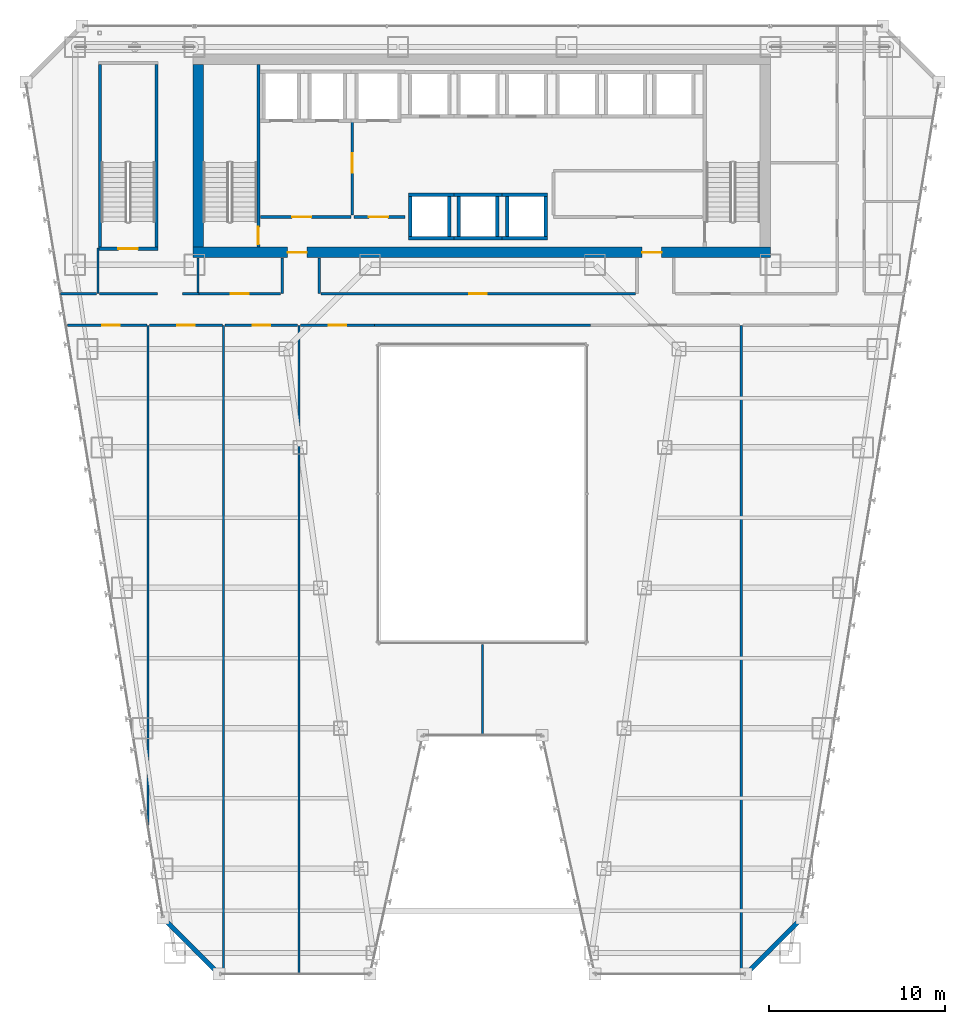
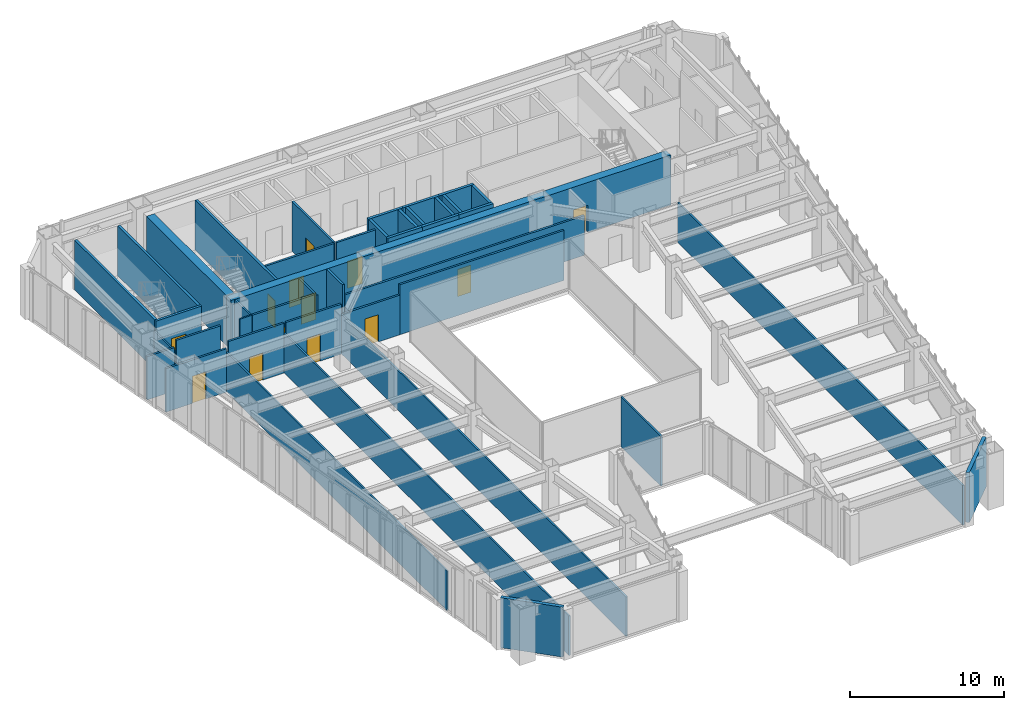
# One storey, part 36 of 47: 42 walls, 13 doors, 13 openings.
"""IFC4 building model written with IfcOpenShell, lengths in metres."""

from ifc_helpers import new_model, si_unit, direction, frame, frame_2d, origin, place, context, subcontext, project, spatial, rectangle, extrude, material, layer, layer_set, type_object, element, fill, save


model = new_model("IFC4")

# Units and contexts
model_context = context("Model", 3, precision=1e-05, world=origin(), true_north=direction((0.0, 1.0)))
body_context = subcontext(model_context, "Body", "Model", "MODEL_VIEW")
ifc_project = project(units=[si_unit("LENGTHUNIT", "METRE"), si_unit("AREAUNIT", "SQUARE_METRE"), si_unit("VOLUMEUNIT", "CUBIC_METRE"), si_unit("PLANEANGLEUNIT", "RADIAN"), si_unit("MASSUNIT", "GRAM", prefix="KILO")], contexts=[model_context])

# Site, building, storey
site_placement = place(None, origin())
site = spatial("IfcSite", under=ifc_project, at=site_placement, CompositionType="ELEMENT")
building_placement = place(site_placement, origin())
building = spatial("IfcBuilding", under=site, at=building_placement, Name="Saevonmaru Cultural Tower", CompositionType="ELEMENT")
storey_placement = place(building_placement, frame((0.0, 0.0, 82.39990234375)))
storey = spatial("IfcBuildingStorey", under=building, at=storey_placement, Name="L17", CompositionType="ELEMENT", Elevation=82.39990234375)

# Wall, openings, doors
ifc_material_1 = material(Name="Concrete C60/75", Category="concrete")
ifc_layer_1 = layer(ifc_material_1, 0.60009765625, Name="Concrete C60/75")
ifc_layer_set_1 = layer_set([ifc_layer_1], Name="Concrete C60/75")
wall_type_1 = type_object("IfcWallType", Name="WL-CORE-600", PredefinedType="SHEAR", material=ifc_layer_set_1)
wall_1_placement = place(storey_placement, frame((13.5, 43.10009765625, 0.0), z_axis=(0.0, 0.0, 1.0), x_axis=(1.0, 0.0, 0.0)))
wall_1 = element("IfcWall", 1, at=wall_1_placement, inside=storey, type_object=wall_type_1, Name="L17 Tower RC core shear wall S", PredefinedType="SHEAR", context=body_context, shape_type="SweptSolid", body=[
    extrude(rectangle(XDim=32.89990234375, YDim=0.60009765625, at=frame_2d((16.449951171875, 0.0))), origin(), (0.0, 0.0, 1.0), 3.9501953125),
])
opening_1_placement = place(wall_1_placement, frame((5.39990234375, 0.0, 0.0)))
opening_1 = element("IfcOpeningElement", 2, at=opening_1_placement, cuts=wall_1, Name="Opening FD-2", PredefinedType="OPENING", context=body_context, shape_type="SweptSolid", body=[
    extrude(rectangle(XDim=1.10009765625, YDim=2.14990234375, at=frame_2d((0.550048828125, 1.074951171875))), frame((0.0, 0.31005859375, 0.0), z_axis=(0.0, -1.0, 0.0), x_axis=(1.0, 0.0, 0.0)), (0.0, 0.0, 1.0), 0.6201171875),
])
opening_2_placement = place(wall_1_placement, frame((25.60009765625, 0.0, 0.0)))
opening_2 = element("IfcOpeningElement", 3, at=opening_2_placement, cuts=wall_1, Name="Opening FD-2", PredefinedType="OPENING", context=body_context, shape_type="SweptSolid", body=[
    extrude(rectangle(XDim=1.10009765625, YDim=2.14990234375, at=frame_2d((0.550048828125, 1.074951171875))), frame((0.0, 0.31005859375, 0.0), z_axis=(0.0, -1.0, 0.0), x_axis=(1.0, 0.0, 0.0)), (0.0, 0.0, 1.0), 0.6201171875),
])
ifc_material_2 = material(Name="Satin Bronze Anodised Aluminium", Category="aluminium")
door_type_1 = type_object("IfcDoorType", Name="DR-FD60-1100", OperationType="SINGLE_SWING_LEFT", PredefinedType="DOOR", material=ifc_material_2)
door_1_placement = place(opening_1_placement, origin())
door_1 = element("IfcDoor", 4, at=door_1_placement, inside=storey, type_object=door_type_1, Name="L17 Core West Lobby Fire Door", OperationType="SINGLE_SWING_LEFT", OverallHeight=2.14990234375, OverallWidth=1.10009765625, PredefinedType="DOOR", context=body_context, shape_type="SweptSolid", body=[
    extrude(rectangle(XDim=1.10009765625, YDim=2.14990234375, at=frame_2d((0.550048828125, 1.074951171875))), frame((0.0, 0.02490234375, 0.0), z_axis=(0.0, -1.0, 0.0), x_axis=(1.0, 0.0, 0.0)), (0.0, 0.0, 1.0), 0.050048828125),
])
fill(opening_1, door_1)
door_2_placement = place(opening_2_placement, origin())
door_2 = element("IfcDoor", 5, at=door_2_placement, inside=storey, type_object=door_type_1, Name="L17 Core East Lobby Fire Door", OperationType="SINGLE_SWING_LEFT", OverallHeight=2.14990234375, OverallWidth=1.10009765625, PredefinedType="DOOR", context=body_context, shape_type="SweptSolid", body=[
    extrude(rectangle(XDim=1.10009765625, YDim=2.14990234375, at=frame_2d((0.550048828125, 1.074951171875))), frame((0.0, 0.02490234375, 0.0), z_axis=(0.0, -1.0, 0.0), x_axis=(1.0, 0.0, 0.0)), (0.0, 0.0, 1.0), 0.050048828125),
])
fill(opening_2, door_2)

# Wall
wall_2_placement = place(storey_placement, frame((13.800048828125, 43.39990234375, 0.0), z_axis=(0.0, 0.0, 1.0), x_axis=(0.0, 1.0, 0.0)))
element("IfcWall", 6, at=wall_2_placement, inside=storey, type_object=wall_type_1, Name="L17 Tower RC core shear wall W", PredefinedType="SHEAR", context=body_context, shape_type="SweptSolid", body=[
    extrude(rectangle(XDim=10.400146484375, YDim=0.60009765625, at=frame_2d((5.2001953125, 0.0))), origin(), (0.0, 0.0, 1.0), 3.9501953125),
])

# Wall, opening, door
ifc_material_3 = material(Name="Gypsum Fireboard Partition", Category="gypsum")
ifc_layer_2 = layer(ifc_material_3, 0.14990234375, Name="Gypsum Fireboard Partition")
ifc_layer_set_2 = layer_set([ifc_layer_2], Name="Gypsum Fireboard Partition")
wall_type_2 = type_object("IfcWallType", Name="WL-CORE-PART-150", PredefinedType="PARTITIONING", material=ifc_layer_set_2)
wall_3_placement = place(storey_placement, frame((17.360107421875, 45.1201171875, 0.0), z_axis=(0.0, 0.0, 1.0), x_axis=(1.0, 0.0, 0.0)))
wall_3 = element("IfcWall", 7, at=wall_3_placement, inside=storey, type_object=wall_type_2, Name="L17 Firefighting Lift Lobby South Wall", PredefinedType="PARTITIONING", context=body_context, shape_type="SweptSolid", body=[
    extrude(rectangle(XDim=5.139892578125, YDim=0.14990234375, at=frame_2d((2.56982421875, 0.0))), origin(), (0.0, 0.0, 1.0), 3.9501953125),
])
opening_3_placement = place(wall_3_placement, frame((1.800048828125, 0.0, 0.0)))
opening_3 = element("IfcOpeningElement", 8, at=opening_3_placement, cuts=wall_3, Name="Opening FD-2", PredefinedType="OPENING", context=body_context, shape_type="SweptSolid", body=[
    extrude(rectangle(XDim=1.10009765625, YDim=2.14990234375, at=frame_2d((0.550048828125, 1.074951171875))), frame((0.0, 0.0849609375, 0.0), z_axis=(0.0, -1.0, 0.0), x_axis=(1.0, 0.0, 0.0)), (0.0, 0.0, 1.0), 0.169921875),
])
door_3_placement = place(opening_3_placement, origin())
door_3 = element("IfcDoor", 9, at=door_3_placement, inside=storey, type_object=door_type_1, Name="L17 Firefighting Lift Lobby South Door", OperationType="SINGLE_SWING_LEFT", OverallHeight=2.14990234375, OverallWidth=1.10009765625, PredefinedType="DOOR", context=body_context, shape_type="SweptSolid", body=[
    extrude(rectangle(XDim=1.10009765625, YDim=2.14990234375, at=frame_2d((0.550048828125, 1.074951171875))), frame((0.0, 0.02490234375, 0.0), z_axis=(0.0, -1.0, 0.0), x_axis=(1.0, 0.0, 0.0)), (0.0, 0.0, 1.0), 0.050048828125),
])
fill(opening_3, door_3)

wall_4_placement = place(storey_placement, frame((22.580078125, 50.550048828125, 0.0), z_axis=(0.0, 0.0, 1.0), x_axis=(0.0, -1.0, 0.0)))
wall_4 = element("IfcWall", 10, at=wall_4_placement, inside=storey, type_object=wall_type_2, Name="L17 Firefighting Lift Lobby East Wall", PredefinedType="PARTITIONING", context=body_context, shape_type="SweptSolid", body=[
    extrude(rectangle(XDim=5.330078125, YDim=0.14990234375, at=frame_2d((2.6650390625, 0.0))), origin(), (0.0, 0.0, 1.0), 3.9501953125),
])
opening_4_placement = place(wall_4_placement, frame((1.800048828125, 0.0, 0.0)))
opening_4 = element("IfcOpeningElement", 11, at=opening_4_placement, cuts=wall_4, Name="Opening FD-2", PredefinedType="OPENING", context=body_context, shape_type="SweptSolid", body=[
    extrude(rectangle(XDim=1.10009765625, YDim=2.14990234375, at=frame_2d((0.550048828125, 1.074951171875))), frame((0.0, 0.0849609375, 0.0), z_axis=(0.0, -1.0, 0.0), x_axis=(1.0, 0.0, 0.0)), (0.0, 0.0, 1.0), 0.169921875),
])
door_4_placement = place(opening_4_placement, origin())
door_4 = element("IfcDoor", 12, at=door_4_placement, inside=storey, type_object=door_type_1, Name="L17 Firefighting Lift Lobby East Door", OperationType="SINGLE_SWING_LEFT", OverallHeight=2.14990234375, OverallWidth=1.10009765625, PredefinedType="DOOR", context=body_context, shape_type="SweptSolid", body=[
    extrude(rectangle(XDim=1.10009765625, YDim=2.14990234375, at=frame_2d((0.550048828125, 1.074951171875))), frame((0.0, 0.02490234375, 0.0), z_axis=(0.0, -1.0, 0.0), x_axis=(1.0, 0.0, 0.0)), (0.0, 0.0, 1.0), 0.050048828125),
])
fill(opening_4, door_4)

wall_5_placement = place(storey_placement, frame((22.679931640625, 45.1201171875, 0.0), z_axis=(0.0, 0.0, 1.0), x_axis=(1.0, 0.0, 0.0)))
wall_5 = element("IfcWall", 13, at=wall_5_placement, inside=storey, type_object=wall_type_2, Name="L17 Service Lift Vestibule Wall", PredefinedType="PARTITIONING", context=body_context, shape_type="SweptSolid", body=[
    extrude(rectangle(XDim=2.920166015625, YDim=0.14990234375, at=frame_2d((1.4599609375, 0.0))), origin(), (0.0, 0.0, 1.0), 3.9501953125),
])
opening_5_placement = place(wall_5_placement, frame((0.85009765625, 0.0, 0.0)))
opening_5 = element("IfcOpeningElement", 14, at=opening_5_placement, cuts=wall_5, Name="Opening FD-2", PredefinedType="OPENING", context=body_context, shape_type="SweptSolid", body=[
    extrude(rectangle(XDim=1.10009765625, YDim=2.14990234375, at=frame_2d((0.550048828125, 1.074951171875))), frame((0.0, 0.0849609375, 0.0), z_axis=(0.0, -1.0, 0.0), x_axis=(1.0, 0.0, 0.0)), (0.0, 0.0, 1.0), 0.169921875),
])
door_5_placement = place(opening_5_placement, origin())
door_5 = element("IfcDoor", 15, at=door_5_placement, inside=storey, type_object=door_type_1, Name="L17 Service Lift Vestibule Door", OperationType="SINGLE_SWING_LEFT", OverallHeight=2.14990234375, OverallWidth=1.10009765625, PredefinedType="DOOR", context=body_context, shape_type="SweptSolid", body=[
    extrude(rectangle(XDim=1.10009765625, YDim=2.14990234375, at=frame_2d((0.550048828125, 1.074951171875))), frame((0.0, 0.02490234375, 0.0), z_axis=(0.0, -1.0, 0.0), x_axis=(1.0, 0.0, 0.0)), (0.0, 0.0, 1.0), 0.050048828125),
])
fill(opening_5, door_5)

# Walls
ifc_material_4 = material(Name="Granite-Clad Precast Concrete C40/50", Category="masonry")
ifc_layer_3 = layer(ifc_material_4, 0.260009765625, Name="Granite-Clad Precast Concrete C40/50")
ifc_layer_set_3 = layer_set([ifc_layer_3], Name="Granite-Clad Precast Concrete C40/50")
wall_type_3 = type_object("IfcWallType", Name="WL-EXT-SPANDREL-260", PredefinedType="STANDARD", material=ifc_layer_set_3)
for number, where, z_axis, x_axis, name in (
    (16, (11.9130859375, 5.0869140625, 0.0), (0.0, 0.0, 1.0), (0.707106781187, -0.707106781187, 0.0), "L17 Chamfer Corner Spandrel Wall E1"),
    (17, (45.113037109375, 2.113037109375, 0.0), (0.0, 0.0, 1.0), (0.707106781187, 0.707106781187, 0.0), "L17 Chamfer Corner Spandrel Wall E7"),
):
    element("IfcWall", number, at=place(storey_placement, frame(where, z_axis=z_axis, x_axis=x_axis)), inside=storey, type_object=wall_type_3, Name=name, PredefinedType="STANDARD", context=body_context, shape_type="SweptSolid", body=[
        extrude(rectangle(XDim=4.205810546875, YDim=0.260009765625, at=frame_2d((2.10302734375, 0.0))), origin(), (0.0, 0.0, 1.0), 3.9501953125),
    ])
ifc_layer_4 = layer(ifc_material_3, 0.14990234375, Name="Gypsum Fireboard Partition")
ifc_layer_set_4 = layer_set([ifc_layer_4], Name="Gypsum Fireboard Partition")
wall_type_4 = type_object("IfcWallType", Name="WL-PART-FIRE-150", PredefinedType="PARTITIONING", material=ifc_layer_set_4)
wall_6_placement = place(storey_placement, frame((8.179931640625, 40.75, 0.0), z_axis=(0.0, 0.0, 1.0), x_axis=(1.0, 0.0, 0.0)))
element("IfcWall", 18, at=wall_6_placement, inside=storey, type_object=wall_type_4, Name="L17 Stair ST-3 South Vestibule Wall", PredefinedType="PARTITIONING", context=body_context, shape_type="SweptSolid", body=[
    extrude(rectangle(XDim=3.300048828125, YDim=0.14990234375, at=frame_2d((1.64990234375, 0.0))), origin(), (0.0, 0.0, 1.0), 3.9501953125),
])
wall_7_placement = place(storey_placement, frame((5.9794921875, 40.75, 0.0), z_axis=(0.0, 0.0, 1.0), x_axis=(1.0, 0.0, 0.0)))
element("IfcWall", 19, at=wall_7_placement, inside=storey, type_object=wall_type_4, Name="L17 Media Screening Auditorium Corridor Wall", PredefinedType="PARTITIONING", context=body_context, shape_type="SweptSolid", body=[
    extrude(rectangle(XDim=2.04052734375, YDim=0.14990234375, at=frame_2d((1.020263671875, 0.0))), origin(), (0.0, 0.0, 1.0), 3.43505859375),
])
for number, where, z_axis, x_axis, name in (
    (20, (18.60009765625, 40.75, 0.0), (0.0, 0.0, 1.0), (0.0, 1.0, 0.0), "L17 Core Portal Side Wall W1"),
    (21, (20.699951171875, 40.75, 0.0), (0.0, 0.0, 1.0), (0.0, 1.0, 0.0), "L17 Core Portal Side Wall W2"),
):
    element("IfcWall", number, at=place(storey_placement, frame(where, z_axis=z_axis, x_axis=x_axis)), inside=storey, type_object=wall_type_4, Name=name, PredefinedType="PARTITIONING", context=body_context, shape_type="SweptSolid", body=[
        extrude(rectangle(XDim=2.030029296875, YDim=0.14990234375, at=frame_2d((1.01513671875, 0.0))), origin(), (0.0, 0.0, 1.0), 3.9501953125),
    ])

# Wall, opening, door
wall_8_placement = place(storey_placement, frame((13.85009765625, 40.75, 0.0), z_axis=(0.0, 0.0, 1.0), x_axis=(1.0, 0.0, 0.0)))
wall_8 = element("IfcWall", 22, at=wall_8_placement, inside=storey, type_object=wall_type_4, Name="L17 Chamber Rehearsal Auditorium Corridor Wall", PredefinedType="PARTITIONING", context=body_context, shape_type="SweptSolid", body=[
    extrude(rectangle(XDim=4.65478515625, YDim=0.14990234375, at=frame_2d((2.327392578125, 0.0))), origin(), (0.0, 0.0, 1.0), 3.9501953125),
])
opening_6_placement = place(wall_8_placement, frame((1.826904296875, 0.0, 0.0)))
opening_6 = element("IfcOpeningElement", 23, at=opening_6_placement, cuts=wall_8, Name="Opening ID-1B", PredefinedType="OPENING", context=body_context, shape_type="SweptSolid", body=[
    extrude(rectangle(XDim=1.0, YDim=2.14990234375, at=frame_2d((0.5, 1.074951171875))), frame((0.0, 0.0849609375, 0.0), z_axis=(0.0, -1.0, 0.0), x_axis=(1.0, 0.0, 0.0)), (0.0, 0.0, 1.0), 0.169921875),
])
ifc_material_5 = material(Name="Acoustic Stained Oak Timber", Category="wood")
door_type_2 = type_object("IfcDoorType", Name="DR-INT-1000", OperationType="SINGLE_SWING_RIGHT", PredefinedType="DOOR", material=ifc_material_5)
door_6_placement = place(opening_6_placement, origin())
door_6 = element("IfcDoor", 24, at=door_6_placement, inside=storey, type_object=door_type_2, Name="L17 Chamber Rehearsal Auditorium Door", OperationType="SINGLE_SWING_LEFT", OverallHeight=2.14990234375, OverallWidth=1.0, PredefinedType="DOOR", context=body_context, shape_type="SweptSolid", body=[
    extrude(rectangle(XDim=1.0, YDim=2.14990234375, at=frame_2d((0.5, 1.074951171875))), frame((0.0, 0.02490234375, 0.0), z_axis=(0.0, -1.0, 0.0), x_axis=(1.0, 0.0, 0.0)), (0.0, 0.0, 1.0), 0.050048828125),
])
fill(opening_6, door_6)

wall_9_placement = place(storey_placement, frame((20.794921875, 40.75, 0.0), z_axis=(0.0, 0.0, 1.0), x_axis=(1.0, 0.0, 0.0)))
wall_9 = element("IfcWall", 25, at=wall_9_placement, inside=storey, type_object=wall_type_4, Name="L17 Media Screening Auditorium Corridor Wall", PredefinedType="PARTITIONING", context=body_context, shape_type="SweptSolid", body=[
    extrude(rectangle(XDim=17.91015625, YDim=0.14990234375, at=frame_2d((8.955078125, 0.0))), origin(), (0.0, 0.0, 1.0), 3.135009765625),
])
opening_7_placement = place(wall_9_placement, frame((8.455078125, 0.0, 0.0)))
opening_7 = element("IfcOpeningElement", 26, at=opening_7_placement, cuts=wall_9, Name="Opening ID-1B", PredefinedType="OPENING", context=body_context, shape_type="SweptSolid", body=[
    extrude(rectangle(XDim=1.0, YDim=2.14990234375, at=frame_2d((0.5, 1.074951171875))), frame((0.0, 0.0849609375, 0.0), z_axis=(0.0, -1.0, 0.0), x_axis=(1.0, 0.0, 0.0)), (0.0, 0.0, 1.0), 0.169921875),
])
door_7_placement = place(opening_7_placement, origin())
door_7 = element("IfcDoor", 27, at=door_7_placement, inside=storey, type_object=door_type_2, Name="L17 Media Screening Auditorium Door", OperationType="SINGLE_SWING_RIGHT", OverallHeight=2.14990234375, OverallWidth=1.0, PredefinedType="DOOR", context=body_context, shape_type="SweptSolid", body=[
    extrude(rectangle(XDim=1.0, YDim=2.14990234375, at=frame_2d((0.5, 1.074951171875))), frame((0.0, 0.02490234375, 0.0), z_axis=(0.0, -1.0, 0.0), x_axis=(1.0, 0.0, 0.0)), (0.0, 0.0, 1.0), 0.050048828125),
])
fill(opening_7, door_7)

wall_10_placement = place(storey_placement, frame((6.36279296875, 38.949951171875, 0.0), z_axis=(0.0, 0.0, 1.0), x_axis=(1.0, 0.0, 0.0)))
wall_10 = element("IfcWall", 28, at=wall_10_placement, inside=storey, type_object=wall_type_4, Name="L17 Chamber Rehearsal Auditorium Corridor Wall", PredefinedType="PARTITIONING", context=body_context, shape_type="SweptSolid", body=[
    extrude(rectangle(XDim=4.51708984375, YDim=0.14990234375, at=frame_2d((2.258544921875, 0.0))), origin(), (0.0, 0.0, 1.0), 3.43505859375),
])
opening_8_placement = place(wall_10_placement, frame((1.97900390625, 0.0, 0.0)))
opening_8 = element("IfcOpeningElement", 29, at=opening_8_placement, cuts=wall_10, Name="Opening ID-1B", PredefinedType="OPENING", context=body_context, shape_type="SweptSolid", body=[
    extrude(rectangle(XDim=1.0, YDim=2.14990234375, at=frame_2d((0.5, 1.074951171875))), frame((0.0, 0.0849609375, 0.0), z_axis=(0.0, -1.0, 0.0), x_axis=(1.0, 0.0, 0.0)), (0.0, 0.0, 1.0), 0.169921875),
])
door_8_placement = place(opening_8_placement, origin())
door_8 = element("IfcDoor", 30, at=door_8_placement, inside=storey, type_object=door_type_2, Name="L17 Chamber Rehearsal Auditorium Door", OperationType="SINGLE_SWING_RIGHT", OverallHeight=2.14990234375, OverallWidth=1.0, PredefinedType="DOOR", context=body_context, shape_type="SweptSolid", body=[
    extrude(rectangle(XDim=1.0, YDim=2.14990234375, at=frame_2d((0.5, 1.074951171875))), frame((0.0, 0.02490234375, 0.0), z_axis=(0.0, -1.0, 0.0), x_axis=(1.0, 0.0, 0.0)), (0.0, 0.0, 1.0), 0.050048828125),
])
fill(opening_8, door_8)

wall_11_placement = place(storey_placement, frame((11.0400390625, 38.949951171875, 0.0), z_axis=(0.0, 0.0, 1.0), x_axis=(1.0, 0.0, 0.0)))
wall_11 = element("IfcWall", 31, at=wall_11_placement, inside=storey, type_object=wall_type_4, Name="L17 Media Screening Auditorium Corridor Wall", PredefinedType="PARTITIONING", context=body_context, shape_type="SweptSolid", body=[
    extrude(rectangle(XDim=4.139892578125, YDim=0.14990234375, at=frame_2d((2.06982421875, 0.0))), origin(), (0.0, 0.0, 1.0), 3.9501953125),
])
opening_9_placement = place(wall_11_placement, frame((1.570068359375, 0.0, 0.0)))
opening_9 = element("IfcOpeningElement", 32, at=opening_9_placement, cuts=wall_11, Name="Opening ID-1B", PredefinedType="OPENING", context=body_context, shape_type="SweptSolid", body=[
    extrude(rectangle(XDim=1.0, YDim=2.14990234375, at=frame_2d((0.5, 1.074951171875))), frame((0.0, 0.0849609375, 0.0), z_axis=(0.0, -1.0, 0.0), x_axis=(1.0, 0.0, 0.0)), (0.0, 0.0, 1.0), 0.169921875),
])
door_9_placement = place(opening_9_placement, origin())
door_9 = element("IfcDoor", 33, at=door_9_placement, inside=storey, type_object=door_type_2, Name="L17 Media Screening Auditorium Door", OperationType="SINGLE_SWING_LEFT", OverallHeight=2.14990234375, OverallWidth=1.0, PredefinedType="DOOR", context=body_context, shape_type="SweptSolid", body=[
    extrude(rectangle(XDim=1.0, YDim=2.14990234375, at=frame_2d((0.5, 1.074951171875))), frame((0.0, 0.02490234375, 0.0), z_axis=(0.0, -1.0, 0.0), x_axis=(1.0, 0.0, 0.0)), (0.0, 0.0, 1.0), 0.050048828125),
])
fill(opening_9, door_9)

wall_12_placement = place(storey_placement, frame((15.340087890625, 38.949951171875, 0.0), z_axis=(0.0, 0.0, 1.0), x_axis=(1.0, 0.0, 0.0)))
wall_12 = element("IfcWall", 34, at=wall_12_placement, inside=storey, type_object=wall_type_4, Name="L17 Sound Art Screening Auditorium Corridor Wall", PredefinedType="PARTITIONING", context=body_context, shape_type="SweptSolid", body=[
    extrude(rectangle(XDim=4.1298828125, YDim=0.14990234375, at=frame_2d((2.06494140625, 0.0))), origin(), (0.0, 0.0, 1.0), 3.9501953125),
])
opening_10_placement = place(wall_12_placement, frame((1.56494140625, 0.0, 0.0)))
opening_10 = element("IfcOpeningElement", 35, at=opening_10_placement, cuts=wall_12, Name="Opening ID-1B", PredefinedType="OPENING", context=body_context, shape_type="SweptSolid", body=[
    extrude(rectangle(XDim=1.0, YDim=2.14990234375, at=frame_2d((0.5, 1.074951171875))), frame((0.0, 0.0849609375, 0.0), z_axis=(0.0, -1.0, 0.0), x_axis=(1.0, 0.0, 0.0)), (0.0, 0.0, 1.0), 0.169921875),
])
door_10_placement = place(opening_10_placement, origin())
door_10 = element("IfcDoor", 36, at=door_10_placement, inside=storey, type_object=door_type_2, Name="L17 Sound Art Screening Auditorium Door", OperationType="SINGLE_SWING_RIGHT", OverallHeight=2.14990234375, OverallWidth=1.0, PredefinedType="DOOR", context=body_context, shape_type="SweptSolid", body=[
    extrude(rectangle(XDim=1.0, YDim=2.14990234375, at=frame_2d((0.5, 1.074951171875))), frame((0.0, 0.02490234375, 0.0), z_axis=(0.0, -1.0, 0.0), x_axis=(1.0, 0.0, 0.0)), (0.0, 0.0, 1.0), 0.050048828125),
])
fill(opening_10, door_10)

wall_13_placement = place(storey_placement, frame((19.6298828125, 38.949951171875, 0.0), z_axis=(0.0, 0.0, 1.0), x_axis=(1.0, 0.0, 0.0)))
wall_13 = element("IfcWall", 37, at=wall_13_placement, inside=storey, type_object=wall_type_4, Name="L17 Chamber Rehearsal Auditorium Corridor Wall", PredefinedType="PARTITIONING", context=body_context, shape_type="SweptSolid", body=[
    extrude(rectangle(XDim=4.22021484375, YDim=0.14990234375, at=frame_2d((2.110107421875, 0.0))), origin(), (0.0, 0.0, 1.0), 3.135009765625),
])
opening_11_placement = place(wall_13_placement, frame((1.610107421875, 0.0, 0.0)))
opening_11 = element("IfcOpeningElement", 38, at=opening_11_placement, cuts=wall_13, Name="Opening ID-1B", PredefinedType="OPENING", context=body_context, shape_type="SweptSolid", body=[
    extrude(rectangle(XDim=1.0, YDim=2.14990234375, at=frame_2d((0.5, 1.074951171875))), frame((0.0, 0.0849609375, 0.0), z_axis=(0.0, -1.0, 0.0), x_axis=(1.0, 0.0, 0.0)), (0.0, 0.0, 1.0), 0.169921875),
])
door_11_placement = place(opening_11_placement, origin())
door_11 = element("IfcDoor", 39, at=door_11_placement, inside=storey, type_object=door_type_2, Name="L17 Chamber Rehearsal Auditorium Door", OperationType="SINGLE_SWING_LEFT", OverallHeight=2.14990234375, OverallWidth=1.0, PredefinedType="DOOR", context=body_context, shape_type="SweptSolid", body=[
    extrude(rectangle(XDim=1.0, YDim=2.14990234375, at=frame_2d((0.5, 1.074951171875))), frame((0.0, 0.02490234375, 0.0), z_axis=(0.0, -1.0, 0.0), x_axis=(1.0, 0.0, 0.0)), (0.0, 0.0, 1.0), 0.050048828125),
])
fill(opening_11, door_11)

# Walls
wall_14_placement = place(storey_placement, frame((23.85009765625, 38.949951171875, 0.0), z_axis=(0.0, 0.0, 1.0), x_axis=(1.0, 0.0, 0.0)))
element("IfcWall", 40, at=wall_14_placement, inside=storey, type_object=wall_type_4, Name="L17 North Atrium Corridor Wall", PredefinedType="PARTITIONING", context=body_context, shape_type="SweptSolid", body=[
    extrude(rectangle(XDim=12.2998046875, YDim=0.14990234375, at=frame_2d((6.14990234375, 0.0))), origin(), (0.0, 0.0, 1.0), 3.9501953125),
])
ifc_layer_5 = layer(ifc_material_3, 0.1201171875, Name="Gypsum Fireboard Partition")
ifc_layer_set_5 = layer_set([ifc_layer_5], Name="Gypsum Fireboard Partition")
wall_type_5 = type_object("IfcWallType", Name="WL-PART-GYP-120", PredefinedType="PARTITIONING", material=ifc_layer_set_5)
wall_15_placement = place(storey_placement, frame((12.919921875, 40.75, 0.0), z_axis=(0.0, 0.0, 1.0), x_axis=(1.0, 0.0, 0.0)))
element("IfcWall", 41, at=wall_15_placement, inside=storey, type_object=wall_type_5, Name="L17 NW Inner South Wall", PredefinedType="PARTITIONING", context=body_context, shape_type="SweptSolid", body=[
    extrude(rectangle(XDim=0.93017578125, YDim=0.1201171875, at=frame_2d((0.465087890625, 0.0))), origin(), (0.0, 0.0, 1.0), 3.9501953125),
])
wall_16_placement = place(storey_placement, frame((13.800048828125, 40.830078125, 0.0), z_axis=(0.0, 0.0, 1.0), x_axis=(0.0, 1.0, 0.0)))
element("IfcWall", 42, at=wall_16_placement, inside=storey, type_object=wall_type_5, Name="L17 NW Inner Core Return", PredefinedType="PARTITIONING", context=body_context, shape_type="SweptSolid", body=[
    extrude(rectangle(XDim=1.949951171875, YDim=0.1201171875, at=frame_2d((0.97509765625, 0.0))), origin(), (0.0, 0.0, 1.0), 3.9501953125),
])
wall_17_placement = place(storey_placement, frame((8.10009765625, 40.75, 0.0), z_axis=(0.0, 0.0, 1.0), x_axis=(0.0, 1.0, 0.0)))
element("IfcWall", 43, at=wall_17_placement, inside=storey, type_object=wall_type_5, Name="L17 NW Stair Return", PredefinedType="PARTITIONING", context=body_context, shape_type="SweptSolid", body=[
    extrude(rectangle(XDim=2.60009765625, YDim=0.1201171875, at=frame_2d((1.300048828125, 0.0))), origin(), (0.0, 0.0, 1.0), 3.135009765625),
])
wall_18_placement = place(storey_placement, frame((10.9599609375, 10.357177734375, 0.0), z_axis=(0.0, 0.0, 1.0), x_axis=(0.0, 1.0, 0.0)))
element("IfcWall", 44, at=wall_18_placement, inside=storey, type_object=wall_type_5, Name="L17 West Bay Divider 1", PredefinedType="PARTITIONING", context=body_context, shape_type="SweptSolid", body=[
    extrude(rectangle(XDim=28.5927734375, YDim=0.1201171875, at=frame_2d((14.29638671875, 0.0))), origin(), (0.0, 0.0, 1.0), 3.135009765625),
])
for number, where, z_axis, x_axis, name in (
    (45, (15.260009765625, 2.0048828125, 0.0), (0.0, 0.0, 1.0), (0.0, 1.0, 0.0), "L17 West Bay Divider 2"),
    (46, (19.550048828125, 2.0048828125, 0.0), (0.0, 0.0, 1.0), (0.0, 1.0, 0.0), "L17 West Bay Divider 3"),
):
    element("IfcWall", number, at=place(storey_placement, frame(where, z_axis=z_axis, x_axis=x_axis)), inside=storey, type_object=wall_type_5, Name=name, PredefinedType="PARTITIONING", context=body_context, shape_type="SweptSolid", body=[
        extrude(rectangle(XDim=36.945068359375, YDim=0.1201171875, at=frame_2d((18.47265625, 0.0))), origin(), (0.0, 0.0, 1.0), 3.135009765625),
    ])
wall_19_placement = place(storey_placement, frame((30.0, 15.60498046875, 0.0), z_axis=(0.0, 0.0, 1.0), x_axis=(0.0, 1.0, 0.0)))
element("IfcWall", 47, at=wall_19_placement, inside=storey, type_object=wall_type_5, Name="L17 South Atrium Center Split", PredefinedType="PARTITIONING", context=body_context, shape_type="SweptSolid", body=[
    extrude(rectangle(XDim=5.175048828125, YDim=0.1201171875, at=frame_2d((2.58740234375, 0.0))), origin(), (0.0, 0.0, 1.0), 3.9501953125),
])
ifc_layer_6 = layer(ifc_material_3, 0.135009765625, Name="Gypsum Fireboard Partition")
ifc_layer_set_6 = layer_set([ifc_layer_6], Name="Gypsum Fireboard Partition")
wall_type_6 = type_object("IfcWallType", Name="WL-PART-GYP-135", PredefinedType="PARTITIONING", material=ifc_layer_set_6)
wall_20_placement = place(storey_placement, frame((44.739990234375, 2.0048828125, 0.0), z_axis=(0.0, 0.0, 1.0), x_axis=(0.0, 1.0, 0.0)))
element("IfcWall", 48, at=wall_20_placement, inside=storey, type_object=wall_type_6, Name="L17 East Bay Divider 1", PredefinedType="PARTITIONING", context=body_context, shape_type="SweptSolid", body=[
    extrude(rectangle(XDim=36.945068359375, YDim=0.135009765625, at=frame_2d((18.47265625, 0.0))), origin(), (0.0, 0.0, 1.0), 3.135009765625),
])
ifc_material_6 = material(Name="Concrete C40/50", Category="concrete")
ifc_layer_7 = layer(ifc_material_6, 0.199951171875, Name="Concrete C40/50")
ifc_layer_set_7 = layer_set([ifc_layer_7], Name="Concrete C40/50")
wall_type_7 = type_object("IfcWallType", Name="WL-SHAFT-200", PredefinedType="SHEAR", material=ifc_layer_set_7)
for number, where, z_axis, x_axis, name in (
    (49, (25.800048828125, 43.89990234375, 0.0), (0.0, 0.0, 1.0), (1.0, 0.0, 0.0), "L17 Lift PL-M1 Hoistway Wall S"),
    (50, (25.800048828125, 46.39990234375, 0.0), (0.0, 0.0, 1.0), (1.0, 0.0, 0.0), "L17 Lift PL-M1 Hoistway Wall N"),
):
    element("IfcWall", number, at=place(storey_placement, frame(where, z_axis=z_axis, x_axis=x_axis)), inside=storey, type_object=wall_type_7, Name=name, PredefinedType="SHEAR", context=body_context, shape_type="SweptSolid", body=[
        extrude(rectangle(XDim=2.574951171875, YDim=0.199951171875, at=frame_2d((1.28759765625, 0.0))), origin(), (0.0, 0.0, 1.0), 3.9501953125),
    ])
for number, where, z_axis, x_axis, name in (
    (51, (25.89990234375, 44.0, 0.0), (0.0, 0.0, 1.0), (0.0, 1.0, 0.0), "L17 Lift PL-M1 Hoistway Wall W"),
    (52, (28.10009765625, 44.0, 0.0), (0.0, 0.0, 1.0), (0.0, 1.0, 0.0), "L17 Lift PL-M1 Hoistway Wall E"),
):
    element("IfcWall", number, at=place(storey_placement, frame(where, z_axis=z_axis, x_axis=x_axis)), inside=storey, type_object=wall_type_7, Name=name, PredefinedType="SHEAR", context=body_context, shape_type="SweptSolid", body=[
        extrude(rectangle(XDim=2.300048828125, YDim=0.199951171875, at=frame_2d((1.14990234375, 0.0))), origin(), (0.0, 0.0, 1.0), 3.9501953125),
    ])
for number, where, z_axis, x_axis, name in (
    (53, (28.375, 43.89990234375, 0.0), (0.0, 0.0, 1.0), (1.0, 0.0, 0.0), "L17 Lift PL-M2 Hoistway Wall S"),
    (54, (28.375, 46.39990234375, 0.0), (0.0, 0.0, 1.0), (1.0, 0.0, 0.0), "L17 Lift PL-M2 Hoistway Wall N"),
):
    element("IfcWall", number, at=place(storey_placement, frame(where, z_axis=z_axis, x_axis=x_axis)), inside=storey, type_object=wall_type_7, Name=name, PredefinedType="SHEAR", context=body_context, shape_type="SweptSolid", body=[
        extrude(rectangle(XDim=2.75, YDim=0.199951171875, at=frame_2d((1.375, 0.0))), origin(), (0.0, 0.0, 1.0), 3.9501953125),
    ])
for number, where, z_axis, x_axis, name in (
    (55, (28.64990234375, 44.0, 0.0), (0.0, 0.0, 1.0), (0.0, 1.0, 0.0), "L17 Lift PL-M2 Hoistway Wall W"),
    (56, (30.85009765625, 44.0, 0.0), (0.0, 0.0, 1.0), (0.0, 1.0, 0.0), "L17 Lift PL-M2 Hoistway Wall E"),
):
    element("IfcWall", number, at=place(storey_placement, frame(where, z_axis=z_axis, x_axis=x_axis)), inside=storey, type_object=wall_type_7, Name=name, PredefinedType="SHEAR", context=body_context, shape_type="SweptSolid", body=[
        extrude(rectangle(XDim=2.300048828125, YDim=0.199951171875, at=frame_2d((1.14990234375, 0.0))), origin(), (0.0, 0.0, 1.0), 3.9501953125),
    ])
for number, where, z_axis, x_axis, name in (
    (57, (31.125, 43.89990234375, 0.0), (0.0, 0.0, 1.0), (1.0, 0.0, 0.0), "L17 Lift PL-M3 Hoistway Wall S"),
    (58, (31.125, 46.39990234375, 0.0), (0.0, 0.0, 1.0), (1.0, 0.0, 0.0), "L17 Lift PL-M3 Hoistway Wall N"),
):
    element("IfcWall", number, at=place(storey_placement, frame(where, z_axis=z_axis, x_axis=x_axis)), inside=storey, type_object=wall_type_7, Name=name, PredefinedType="SHEAR", context=body_context, shape_type="SweptSolid", body=[
        extrude(rectangle(XDim=2.574951171875, YDim=0.199951171875, at=frame_2d((1.28759765625, 0.0))), origin(), (0.0, 0.0, 1.0), 3.9501953125),
    ])
for number, where, z_axis, x_axis, name in (
    (59, (31.39990234375, 44.0, 0.0), (0.0, 0.0, 1.0), (0.0, 1.0, 0.0), "L17 Lift PL-M3 Hoistway Wall W"),
    (60, (33.60009765625, 44.0, 0.0), (0.0, 0.0, 1.0), (0.0, 1.0, 0.0), "L17 Lift PL-M3 Hoistway Wall E"),
):
    element("IfcWall", number, at=place(storey_placement, frame(where, z_axis=z_axis, x_axis=x_axis)), inside=storey, type_object=wall_type_7, Name=name, PredefinedType="SHEAR", context=body_context, shape_type="SweptSolid", body=[
        extrude(rectangle(XDim=2.300048828125, YDim=0.199951171875, at=frame_2d((1.14990234375, 0.0))), origin(), (0.0, 0.0, 1.0), 3.9501953125),
    ])

# Wall, opening, door
ifc_layer_8 = layer(ifc_material_6, 0.179931640625, Name="Concrete C40/50")
ifc_layer_set_8 = layer_set([ifc_layer_8], Name="Concrete C40/50")
wall_type_8 = type_object("IfcWallType", Name="WL-STSHAFT-180", PredefinedType="SHEAR", material=ifc_layer_set_8)
wall_21_placement = place(storey_placement, frame((17.239990234375, 43.39990234375, 0.0), z_axis=(0.0, 0.0, 1.0), x_axis=(0.0, 1.0, 0.0)))
wall_21 = element("IfcWall", 61, at=wall_21_placement, inside=storey, type_object=wall_type_8, Name="L17 Stair ST-1 Structural Shaft Wall 1", PredefinedType="SHEAR", context=body_context, shape_type="SweptSolid", body=[
    extrude(rectangle(XDim=10.400146484375, YDim=0.179931640625, at=frame_2d((5.2001953125, 0.0))), origin(), (0.0, 0.0, 1.0), 3.9501953125),
])
opening_12_placement = place(wall_21_placement, frame((0.159912109375, 0.0, 0.0)))
opening_12 = element("IfcOpeningElement", 62, at=opening_12_placement, cuts=wall_21, Name="Opening FD-3", PredefinedType="OPENING", context=body_context, shape_type="SweptSolid", body=[
    extrude(rectangle(XDim=1.0, YDim=2.14990234375, at=frame_2d((0.5, 1.074951171875))), frame((0.0, 0.10009765625, 0.0), z_axis=(0.0, -1.0, 0.0), x_axis=(1.0, 0.0, 0.0)), (0.0, 0.0, 1.0), 0.199951171875),
])
door_type_3 = type_object("IfcDoorType", Name="DR-FD60-1000", OperationType="SINGLE_SWING_RIGHT", PredefinedType="DOOR", material=ifc_material_2)
door_12_placement = place(opening_12_placement, origin())
door_12 = element("IfcDoor", 63, at=door_12_placement, inside=storey, type_object=door_type_3, Name="L17 Protected Stair ST-1 Fire Door", OperationType="SINGLE_SWING_RIGHT", OverallHeight=2.14990234375, OverallWidth=1.0, PredefinedType="DOOR", context=body_context, shape_type="SweptSolid", body=[
    extrude(rectangle(XDim=1.0, YDim=2.14990234375, at=frame_2d((0.5, 1.074951171875))), frame((0.0, 0.02490234375, 0.0), z_axis=(0.0, -1.0, 0.0), x_axis=(1.0, 0.0, 0.0)), (0.0, 0.0, 1.0), 0.050048828125),
])
fill(opening_12, door_12)

wall_22_placement = place(storey_placement, frame((8.1201171875, 43.31005859375, 0.0), z_axis=(0.0, 0.0, 1.0), x_axis=(1.0, 0.0, 0.0)))
wall_22 = element("IfcWall", 64, at=wall_22_placement, inside=storey, type_object=wall_type_8, Name="L17 Stair ST-3 Structural Shaft Wall 1", PredefinedType="SHEAR", context=body_context, shape_type="SweptSolid", body=[
    extrude(rectangle(XDim=3.409912109375, YDim=0.179931640625, at=frame_2d((1.705078125, 0.0))), origin(), (0.0, 0.0, 1.0), 3.9501953125),
])
opening_13_placement = place(wall_22_placement, frame((1.14990234375, 0.0, 0.0)))
opening_13 = element("IfcOpeningElement", 65, at=opening_13_placement, cuts=wall_22, Name="Opening FD-2", PredefinedType="OPENING", context=body_context, shape_type="SweptSolid", body=[
    extrude(rectangle(XDim=1.10009765625, YDim=2.14990234375, at=frame_2d((0.550048828125, 1.074951171875))), frame((0.0, 0.10009765625, 0.0), z_axis=(0.0, -1.0, 0.0), x_axis=(1.0, 0.0, 0.0)), (0.0, 0.0, 1.0), 0.199951171875),
])
door_13_placement = place(opening_13_placement, origin())
door_13 = element("IfcDoor", 66, at=door_13_placement, inside=storey, type_object=door_type_1, Name="L17 Protected Stair ST-3 Fire Door", OperationType="SINGLE_SWING_LEFT", OverallHeight=2.14990234375, OverallWidth=1.10009765625, PredefinedType="DOOR", context=body_context, shape_type="SweptSolid", body=[
    extrude(rectangle(XDim=1.10009765625, YDim=2.14990234375, at=frame_2d((0.550048828125, 1.074951171875))), frame((0.0, 0.02490234375, 0.0), z_axis=(0.0, -1.0, 0.0), x_axis=(1.0, 0.0, 0.0)), (0.0, 0.0, 1.0), 0.050048828125),
])
fill(opening_13, door_13)

# Walls
for number, where, z_axis, x_axis, name in (
    (67, (11.43994140625, 43.39990234375, 0.0), (0.0, 0.0, 1.0), (0.0, 1.0, 0.0), "L17 Stair ST-3 Structural Shaft Wall 2"),
    (68, (8.2099609375, 53.800048828125, 0.0), (0.0, 0.0, 1.0), (0.0, -1.0, 0.0), "L17 Stair ST-3 Structural Shaft Wall 4"),
):
    element("IfcWall", number, at=place(storey_placement, frame(where, z_axis=z_axis, x_axis=x_axis)), inside=storey, type_object=wall_type_8, Name=name, PredefinedType="SHEAR", context=body_context, shape_type="SweptSolid", body=[
        extrude(rectangle(XDim=10.400146484375, YDim=0.179931640625, at=frame_2d((5.2001953125, 0.0))), origin(), (0.0, 0.0, 1.0), 3.9501953125),
    ])

save(model, "model.ifc")
